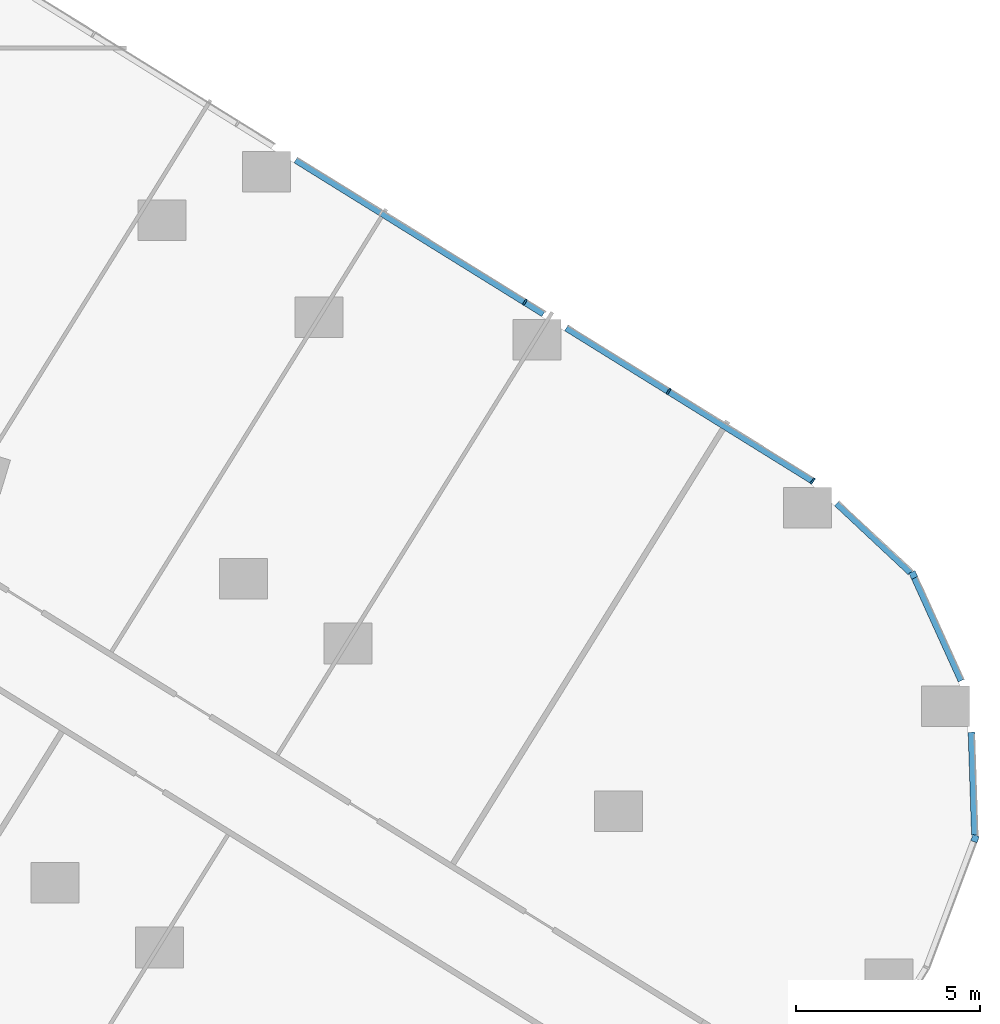
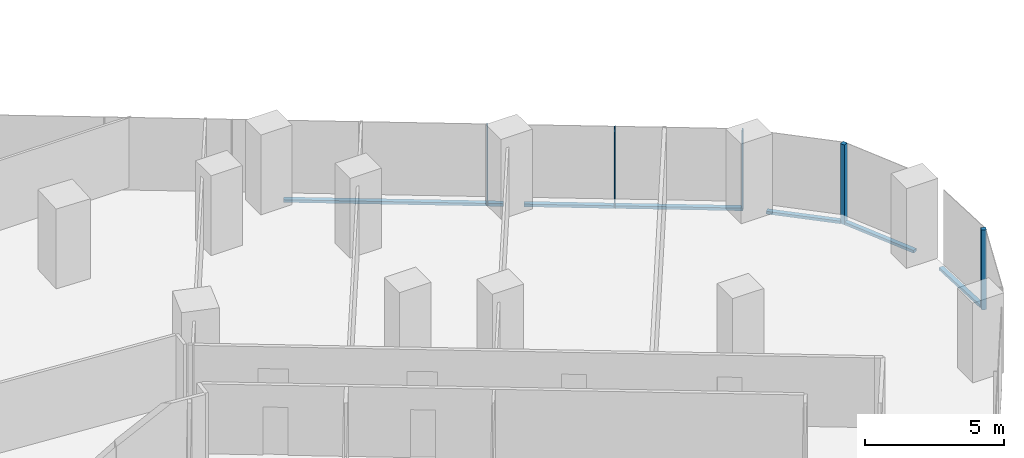
# One storey, part 11 of 34: 10 members, 5 elements without a shape of their own.
"""IFC4 building model written with IfcOpenShell, lengths in metres."""

from ifc_helpers import new_model, si_unit, direction, frame, origin, origin_2d, place, context, subcontext, project, spatial, rectangle, extrude, material, material_profile, profile_set, type_object, element, aggregate, save


model = new_model("IFC4")

# Units and contexts
model_context = context("Model", 3, precision=1e-05, world=origin(), true_north=direction((0.0, 1.0)))
body_context = subcontext(model_context, "Body", "Model", "MODEL_VIEW")
ifc_project = project(units=[si_unit("LENGTHUNIT", "METRE"), si_unit("AREAUNIT", "SQUARE_METRE"), si_unit("VOLUMEUNIT", "CUBIC_METRE"), si_unit("PLANEANGLEUNIT", "RADIAN"), si_unit("MASSUNIT", "GRAM", prefix="KILO")], contexts=[model_context])

# Site, building, storey
site_placement = place(None, origin())
site = spatial("IfcSite", under=ifc_project, at=site_placement, CompositionType="ELEMENT")
building_placement = place(site_placement, origin())
building = spatial("IfcBuilding", under=site, at=building_placement, Name="Orlundy Tower", CompositionType="ELEMENT")
storey_placement = place(building_placement, frame((0.0, 0.0, 40.800048828125)))
storey = spatial("IfcBuildingStorey", under=building, at=storey_placement, Name="L08", CompositionType="ELEMENT", Elevation=40.800048828125)

# Curtain wall, member
ifc_material_1 = material(Name="Aluminium bronze anodised", Category="aluminium")
curtain_wall_type = type_object("IfcCurtainWallType", Name="CW1 wall", PredefinedType="NOTDEFINED", material=ifc_material_1)
curtain_wall_1_placement = place(storey_placement, origin())
curtain_wall_1 = element("IfcCurtainWall", 1, at=curtain_wall_1_placement, inside=storey, type_object=curtain_wall_type, Name="CW1 run 08", PredefinedType="NOTDEFINED")
ifc_material_2 = material(Name="Aluminium bronze anodised", Category="aluminium")
ifc_material_profile_1 = material_profile(ifc_material_2, rectangle(XDim=0.179931640625, YDim=0.179931640625, at=origin_2d()), Name="CW1 corner post 180x180")
ifc_profile_set_1 = profile_set([ifc_material_profile_1], Name="Aluminium bronze anodised")
member_type_1 = type_object("IfcMemberType", Name="CW1 corner post 180x180", PredefinedType="MULLION", material=ifc_profile_set_1)
member_1_placement = place(storey_placement, frame((55.810546875, -11.859375, -0.420166015625), z_axis=(0.0, 0.0, 1.0), x_axis=(0.91057887201, 0.413335357608, 0.0)))
member_1 = element("IfcMember", 2, at=member_1_placement, type_object=member_type_1, Name="CW1 mullion 33", PredefinedType="MULLION", context=body_context, shape_type="SweptSolid", body=[
    extrude(rectangle(XDim=0.179931640625, YDim=0.179931640625, at=origin_2d()), origin(), (0.0, 0.0, 1.0), 3.5),
])

curtain_wall_2_placement = place(storey_placement, origin())
curtain_wall_2 = element("IfcCurtainWall", 3, at=curtain_wall_2_placement, inside=storey, type_object=curtain_wall_type, Name="CW1 run 010", PredefinedType="NOTDEFINED")
member_2_placement = place(storey_placement, frame((57.482666015625, -19.0078125, -0.420166015625), z_axis=(0.0, 0.0, 1.0), x_axis=(0.936173864009, -0.351537332791, 0.0)))
member_2 = element("IfcMember", 4, at=member_2_placement, type_object=member_type_1, Name="CW1 mullion 35", PredefinedType="MULLION", context=body_context, shape_type="SweptSolid", body=[
    extrude(rectangle(XDim=0.179931640625, YDim=0.179931640625, at=origin_2d()), origin(), (0.0, 0.0, 1.0), 3.5),
])
aggregate(curtain_wall_2, [member_2])

# Curtain wall, members
curtain_wall_3_placement = place(storey_placement, origin())
curtain_wall_3 = element("IfcCurtainWall", 5, at=curtain_wall_3_placement, inside=storey, type_object=curtain_wall_type, Name="CW1 run 06", PredefinedType="NOTDEFINED")
ifc_material_3 = material(Name="Aluminium bronze anodised", Category="aluminium")
ifc_material_profile_2 = material_profile(ifc_material_3, rectangle(XDim=0.179931640625, YDim=0.050048828125, at=origin_2d()), Name="CW1 mullion 50x180")
ifc_profile_set_2 = profile_set([ifc_material_profile_2], Name="Aluminium bronze anodised")
member_type_2 = type_object("IfcMemberType", Name="CW1 mullion 50x180", PredefinedType="MULLION", material=ifc_profile_set_2)
member_3_placement = place(storey_placement, frame((45.278564453125, -4.4638671875, -0.420166015625), z_axis=(0.0, 0.0, 1.0), x_axis=(0.527453271529, 0.849584043137, 0.0)))
member_3 = element("IfcMember", 6, at=member_3_placement, type_object=member_type_2, Name="CW1 mullion 30", PredefinedType="MULLION", context=body_context, shape_type="SweptSolid", body=[
    extrude(rectangle(XDim=0.179931640625, YDim=0.050048828125, at=origin_2d()), origin(), (0.0, 0.0, 1.0), 3.5),
])
member_4_placement = place(storey_placement, frame((49.177001953125, -6.88427734375, -0.420166015625), z_axis=(0.0, 0.0, 1.0), x_axis=(0.527453271529, 0.849584043137, 0.0)))
member_4 = element("IfcMember", 7, at=member_4_placement, type_object=member_type_2, Name="CW1 mullion 31", PredefinedType="MULLION", context=body_context, shape_type="SweptSolid", body=[
    extrude(rectangle(XDim=0.179931640625, YDim=0.050048828125, at=origin_2d()), origin(), (0.0, 0.0, 1.0), 3.5),
])

# Curtain wall, member
curtain_wall_4_placement = place(storey_placement, origin())
curtain_wall_4 = element("IfcCurtainWall", 8, at=curtain_wall_4_placement, inside=storey, type_object=curtain_wall_type, Name="CW1 run 07", PredefinedType="NOTDEFINED")
member_5_placement = place(storey_placement, frame((53.0830078125, -9.309326171875, -0.420166015625), z_axis=(0.0, 0.0, 1.0), x_axis=(0.608136954191, 0.793832126427, 0.0)))
member_5 = element("IfcMember", 9, at=member_5_placement, type_object=member_type_2, Name="CW1 mullion 32", PredefinedType="MULLION", context=body_context, shape_type="SweptSolid", body=[
    extrude(rectangle(XDim=0.179931640625, YDim=0.050048828125, at=origin_2d()), origin(), (0.0, 0.0, 1.0), 3.5),
])

# Member
ifc_material_4 = material(Name="Aluminium bronze anodised", Category="aluminium")
ifc_material_profile_3 = material_profile(ifc_material_4, rectangle(XDim=0.179931640625, YDim=0.1201171875, at=origin_2d()), Name="CW1 transom 180x120")
ifc_profile_set_3 = profile_set([ifc_material_profile_3], Name="Aluminium bronze anodised")
member_type_3 = type_object("IfcMemberType", Name="CW1 transom 180x120", PredefinedType="USERDEFINED", material=ifc_profile_set_3)
member_6_placement = place(storey_placement, frame((39.069091796875, -0.60888671875, -0.360107421875), z_axis=(0.84958050757, -0.527458966326, 0.0), x_axis=(0.527458966326, 0.84958050757, 0.0)))
member_6 = element("IfcMember", 10, at=member_6_placement, type_object=member_type_3, Name="CW1 transom", ObjectType="TRANSOM", PredefinedType="USERDEFINED", context=body_context, shape_type="SweptSolid", body=[
    extrude(rectangle(XDim=0.179931640625, YDim=0.1201171875, at=origin_2d()), origin(), (0.0, 0.0, 1.0), 7.904296875),
])

member_7_placement = place(storey_placement, frame((46.404052734375, -5.16259765625, -0.360107421875), z_axis=(0.849587212387, -0.527448166693, 0.0), x_axis=(0.527448166693, 0.849587212387, 0.0)))
member_7 = element("IfcMember", 11, at=member_7_placement, type_object=member_type_3, Name="CW1 transom", ObjectType="TRANSOM", PredefinedType="USERDEFINED", context=body_context, shape_type="SweptSolid", body=[
    extrude(rectangle(XDim=0.179931640625, YDim=0.1201171875, at=origin_2d()), origin(), (0.0, 0.0, 1.0), 7.83642578125),
])

aggregate(curtain_wall_3, [member_3, member_4, member_6, member_7])

member_8_placement = place(storey_placement, frame((53.736083984375, -9.919677734375, -0.360107421875), z_axis=(0.73043039974, -0.682987138338, 0.0), x_axis=(0.682987138338, 0.73043039974, 0.0)))
member_8 = element("IfcMember", 12, at=member_8_placement, type_object=member_type_3, Name="CW1 transom", ObjectType="TRANSOM", PredefinedType="USERDEFINED", context=body_context, shape_type="SweptSolid", body=[
    extrude(rectangle(XDim=0.179931640625, YDim=0.1201171875, at=origin_2d()), origin(), (0.0, 0.0, 1.0), 2.74267578125),
])

aggregate(curtain_wall_4, [member_5, member_8])

member_9_placement = place(storey_placement, frame((55.84765625, -11.94140625, -0.360107421875), z_axis=(0.413357645498, -0.91056875463, 0.0), x_axis=(0.91056875463, 0.413357645498, 0.0)))
member_9 = element("IfcMember", 13, at=member_9_placement, type_object=member_type_3, Name="CW1 transom", ObjectType="TRANSOM", PredefinedType="USERDEFINED", context=body_context, shape_type="SweptSolid", body=[
    extrude(rectangle(XDim=0.179931640625, YDim=0.1201171875, at=origin_2d()), origin(), (0.0, 0.0, 1.0), 3.05712890625),
])

aggregate(curtain_wall_1, [member_1, member_9])

# Curtain wall, member
curtain_wall_5_placement = place(storey_placement, origin())
curtain_wall_5 = element("IfcCurtainWall", 14, at=curtain_wall_5_placement, inside=storey, type_object=curtain_wall_type, Name="CW1 run 09", PredefinedType="NOTDEFINED")
member_10_placement = place(storey_placement, frame((57.385986328125, -16.125, -0.360107421875), z_axis=(0.033463586298, -0.999439937361, 0.0), x_axis=(0.999439937361, 0.033463586298, 0.0)))
member_10 = element("IfcMember", 15, at=member_10_placement, type_object=member_type_3, Name="CW1 transom", ObjectType="TRANSOM", PredefinedType="USERDEFINED", context=body_context, shape_type="SweptSolid", body=[
    extrude(rectangle(XDim=0.179931640625, YDim=0.1201171875, at=origin_2d()), origin(), (0.0, 0.0, 1.0), 2.786865234375),
])
aggregate(curtain_wall_5, [member_10])

save(model, "model.ifc")
